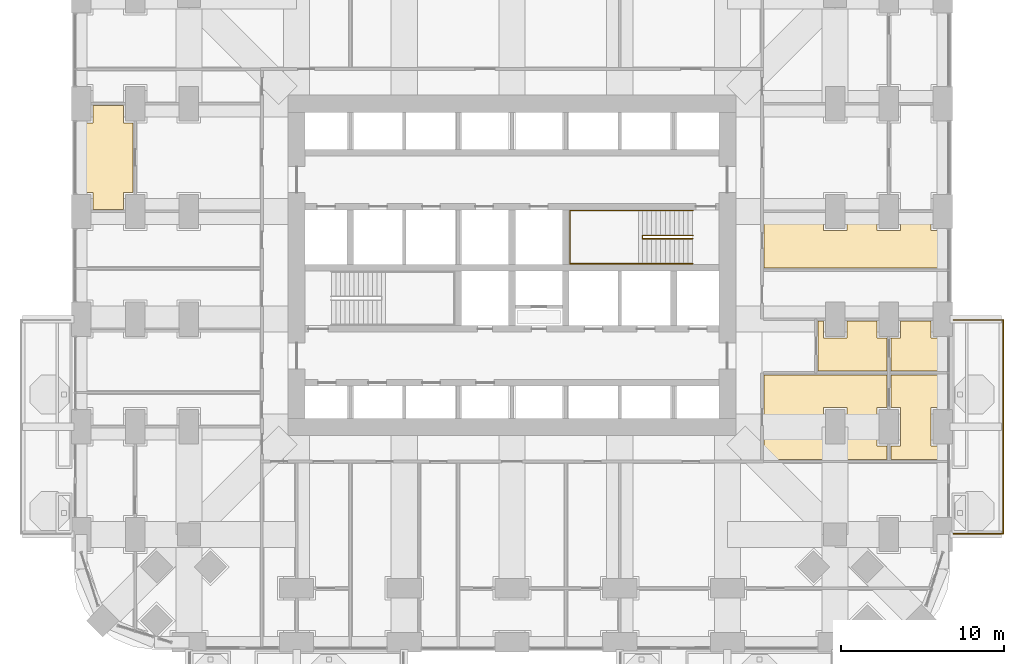
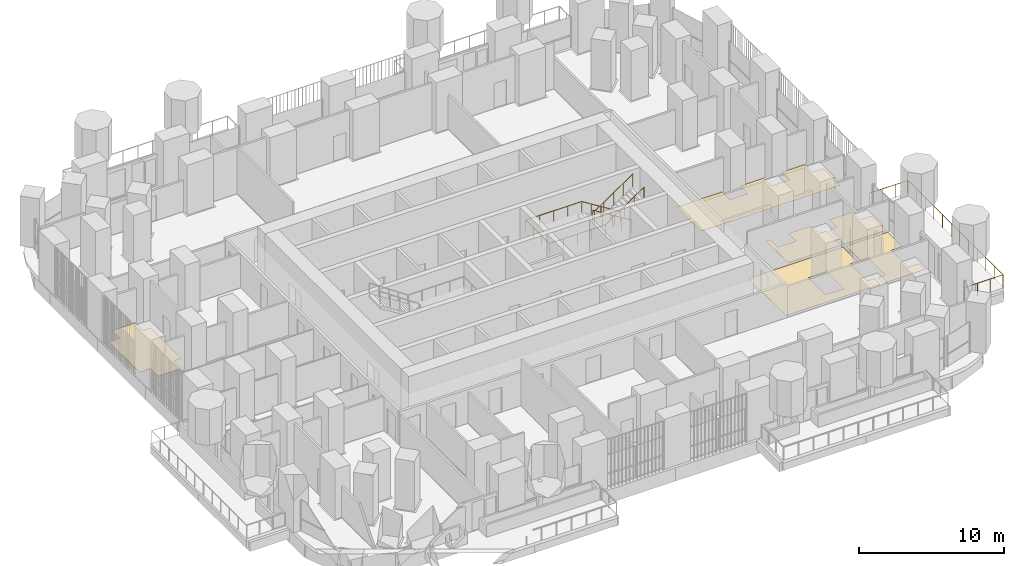
# One storey, part 25 of 27: 6 coverings, 3 railings.
"""IFC4 building model written with IfcOpenShell, lengths in metres."""

from ifc_helpers import new_model, si_unit, direction, frame, origin, place, context, subcontext, project, spatial, polyline, outline, extrude, material, layer, layer_set, type_object, element, save


model = new_model("IFC4")

# Units and contexts
model_context = context("Model", 3, precision=1e-05, world=origin(), true_north=direction((0.0, 1.0)))
body_context = subcontext(model_context, "Body", "Model", "MODEL_VIEW")
ifc_project = project(units=[si_unit("LENGTHUNIT", "METRE"), si_unit("AREAUNIT", "SQUARE_METRE"), si_unit("VOLUMEUNIT", "CUBIC_METRE"), si_unit("PLANEANGLEUNIT", "RADIAN"), si_unit("MASSUNIT", "GRAM", prefix="KILO")], contexts=[model_context])

# Site, building, storey
site_placement = place(None, origin())
site = spatial("IfcSite", under=ifc_project, at=site_placement, CompositionType="ELEMENT")
building_placement = place(site_placement, origin())
building = spatial("IfcBuilding", under=site, at=building_placement, Name="Cobogo Forest Laboratory Tower", CompositionType="ELEMENT")
storey_placement = place(building_placement, frame((0.0, 0.0, 63.300048828125)))
storey = spatial("IfcBuildingStorey", under=building, at=storey_placement, Name="L14", CompositionType="ELEMENT", Elevation=63.300048828125)

# Railing
ifc_material_1 = material(Name="Laminated glass balustrade", Category="glass")
railing_type_1 = type_object("IfcRailingType", Name="BG1 glass balustrade 1100", PredefinedType="GUARDRAIL", material=ifc_material_1)
railing_1_placement = place(storey_placement, frame((53.449951171875, 6.64990234375, 0.0)))
element("IfcRailing", 1, at=railing_1_placement, inside=storey, type_object=railing_type_1, Name="Balcony balustrade BAL-E1 L14", PredefinedType="GUARDRAIL", context=body_context, shape_type="SweptSolid", body=[
    extrude(outline(polyline([(0.022216796875, 0.00927734375), (0.00927734375, 0.022216796875), (-0.00927734375, 0.022216796875), (-0.022216796875, 0.00927734375), (-0.022216796875, -0.00927734375), (-0.00927734375, -0.022216796875), (0.00927734375, -0.022216796875), (0.022216796875, -0.00927734375), (0.022216796875, 0.00927734375)])), frame((0.0, 0.0, 1.077880859375), z_axis=(1.0, 0.0, 0.0), x_axis=(0.0, 1.0, 0.0)), (0.0, 0.0, 1.0), 3.050048828125),
    extrude(outline(polyline([(0.022216796875, 0.00927734375), (0.00927734375, 0.022216796875), (-0.00927734375, 0.022216796875), (-0.022216796875, 0.00927734375), (-0.022216796875, -0.00927734375), (-0.00927734375, -0.022216796875), (0.00927734375, -0.022216796875), (0.022216796875, -0.00927734375), (0.022216796875, 0.00927734375)])), frame((3.050048828125, 0.0, 1.077880859375), z_axis=(0.0, 1.0, 0.0), x_axis=(-1.0, 0.0, 0.0)), (0.0, 0.0, 1.0), 13.10009765625),
    extrude(outline(polyline([(0.022216796875, 0.00927734375), (0.00927734375, 0.022216796875), (-0.00927734375, 0.022216796875), (-0.022216796875, 0.00927734375), (-0.022216796875, -0.00927734375), (-0.00927734375, -0.022216796875), (0.00927734375, -0.022216796875), (0.022216796875, -0.00927734375), (0.022216796875, 0.00927734375)])), frame((3.050048828125, 13.10009765625, 1.077880859375), z_axis=(-1.0, 0.0, 0.0), x_axis=(0.0, -1.0, 0.0)), (0.0, 0.0, 1.0), 3.050048828125),
    extrude(outline(polyline([(0.019287109375, 0.008056640625), (0.008056640625, 0.019287109375), (-0.008056640625, 0.019287109375), (-0.019287109375, 0.008056640625), (-0.019287109375, -0.008056640625), (-0.008056640625, -0.019287109375), (0.008056640625, -0.019287109375), (0.019287109375, -0.008056640625), (0.019287109375, 0.008056640625)])), origin(), (0.0, 0.0, 1.0), 1.077880859375),
    extrude(outline(polyline([(0.019287109375, 0.008056640625), (0.008056640625, 0.019287109375), (-0.008056640625, 0.019287109375), (-0.019287109375, 0.008056640625), (-0.019287109375, -0.008056640625), (-0.008056640625, -0.019287109375), (0.008056640625, -0.019287109375), (0.019287109375, -0.008056640625), (0.019287109375, 0.008056640625)])), frame((1.0166015625, 0.0, 0.0)), (0.0, 0.0, 1.0), 1.077880859375),
    extrude(outline(polyline([(0.019287109375, 0.008056640625), (0.008056640625, 0.019287109375), (-0.008056640625, 0.019287109375), (-0.019287109375, 0.008056640625), (-0.019287109375, -0.008056640625), (-0.008056640625, -0.019287109375), (0.008056640625, -0.019287109375), (0.019287109375, -0.008056640625), (0.019287109375, 0.008056640625)])), frame((2.033447265625, 0.0, 0.0)), (0.0, 0.0, 1.0), 1.077880859375),
    extrude(outline(polyline([(0.019287109375, 0.008056640625), (0.008056640625, 0.019287109375), (-0.008056640625, 0.019287109375), (-0.019287109375, 0.008056640625), (-0.019287109375, -0.008056640625), (-0.008056640625, -0.019287109375), (0.008056640625, -0.019287109375), (0.019287109375, -0.008056640625), (0.019287109375, 0.008056640625)])), frame((3.050048828125, 0.0, 0.0)), (0.0, 0.0, 1.0), 1.077880859375),
    extrude(outline(polyline([(0.019287109375, 0.008056640625), (0.008056640625, 0.019287109375), (-0.008056640625, 0.019287109375), (-0.019287109375, 0.008056640625), (-0.019287109375, -0.008056640625), (-0.008056640625, -0.019287109375), (0.008056640625, -0.019287109375), (0.019287109375, -0.008056640625), (0.019287109375, 0.008056640625)])), frame((3.050048828125, 1.19091796875, 0.0)), (0.0, 0.0, 1.0), 1.077880859375),
    extrude(outline(polyline([(0.019287109375, 0.008056640625), (0.008056640625, 0.019287109375), (-0.008056640625, 0.019287109375), (-0.019287109375, 0.008056640625), (-0.019287109375, -0.008056640625), (-0.008056640625, -0.019287109375), (0.008056640625, -0.019287109375), (0.019287109375, -0.008056640625), (0.019287109375, 0.008056640625)])), frame((3.050048828125, 2.3818359375, 0.0)), (0.0, 0.0, 1.0), 1.077880859375),
    extrude(outline(polyline([(0.019287109375, 0.008056640625), (0.008056640625, 0.019287109375), (-0.008056640625, 0.019287109375), (-0.019287109375, 0.008056640625), (-0.019287109375, -0.008056640625), (-0.008056640625, -0.019287109375), (0.008056640625, -0.019287109375), (0.019287109375, -0.008056640625), (0.019287109375, 0.008056640625)])), frame((3.050048828125, 3.57275390625, 0.0)), (0.0, 0.0, 1.0), 1.077880859375),
    extrude(outline(polyline([(0.019287109375, 0.008056640625), (0.008056640625, 0.019287109375), (-0.008056640625, 0.019287109375), (-0.019287109375, 0.008056640625), (-0.019287109375, -0.008056640625), (-0.008056640625, -0.019287109375), (0.008056640625, -0.019287109375), (0.019287109375, -0.008056640625), (0.019287109375, 0.008056640625)])), frame((3.050048828125, 4.763671875, 0.0)), (0.0, 0.0, 1.0), 1.077880859375),
    extrude(outline(polyline([(0.019287109375, 0.008056640625), (0.008056640625, 0.019287109375), (-0.008056640625, 0.019287109375), (-0.019287109375, 0.008056640625), (-0.019287109375, -0.008056640625), (-0.008056640625, -0.019287109375), (0.008056640625, -0.019287109375), (0.019287109375, -0.008056640625), (0.019287109375, 0.008056640625)])), frame((3.050048828125, 5.95458984375, 0.0)), (0.0, 0.0, 1.0), 1.077880859375),
    extrude(outline(polyline([(0.019287109375, 0.008056640625), (0.008056640625, 0.019287109375), (-0.008056640625, 0.019287109375), (-0.019287109375, 0.008056640625), (-0.019287109375, -0.008056640625), (-0.008056640625, -0.019287109375), (0.008056640625, -0.019287109375), (0.019287109375, -0.008056640625), (0.019287109375, 0.008056640625)])), frame((3.050048828125, 7.1455078125, 0.0)), (0.0, 0.0, 1.0), 1.077880859375),
    extrude(outline(polyline([(0.019287109375, 0.008056640625), (0.008056640625, 0.019287109375), (-0.008056640625, 0.019287109375), (-0.019287109375, 0.008056640625), (-0.019287109375, -0.008056640625), (-0.008056640625, -0.019287109375), (0.008056640625, -0.019287109375), (0.019287109375, -0.008056640625), (0.019287109375, 0.008056640625)])), frame((3.050048828125, 8.33642578125, 0.0)), (0.0, 0.0, 1.0), 1.077880859375),
    extrude(outline(polyline([(0.019287109375, 0.008056640625), (0.008056640625, 0.019287109375), (-0.008056640625, 0.019287109375), (-0.019287109375, 0.008056640625), (-0.019287109375, -0.008056640625), (-0.008056640625, -0.019287109375), (0.008056640625, -0.019287109375), (0.019287109375, -0.008056640625), (0.019287109375, 0.008056640625)])), frame((3.050048828125, 9.52734375, 0.0)), (0.0, 0.0, 1.0), 1.077880859375),
    extrude(outline(polyline([(0.019287109375, 0.008056640625), (0.008056640625, 0.019287109375), (-0.008056640625, 0.019287109375), (-0.019287109375, 0.008056640625), (-0.019287109375, -0.008056640625), (-0.008056640625, -0.019287109375), (0.008056640625, -0.019287109375), (0.019287109375, -0.008056640625), (0.019287109375, 0.008056640625)])), frame((3.050048828125, 10.71826171875, 0.0)), (0.0, 0.0, 1.0), 1.077880859375),
    extrude(outline(polyline([(0.019287109375, 0.008056640625), (0.008056640625, 0.019287109375), (-0.008056640625, 0.019287109375), (-0.019287109375, 0.008056640625), (-0.019287109375, -0.008056640625), (-0.008056640625, -0.019287109375), (0.008056640625, -0.019287109375), (0.019287109375, -0.008056640625), (0.019287109375, 0.008056640625)])), frame((3.050048828125, 11.9091796875, 0.0)), (0.0, 0.0, 1.0), 1.077880859375),
    extrude(outline(polyline([(0.019287109375, 0.008056640625), (0.008056640625, 0.019287109375), (-0.008056640625, 0.019287109375), (-0.019287109375, 0.008056640625), (-0.019287109375, -0.008056640625), (-0.008056640625, -0.019287109375), (0.008056640625, -0.019287109375), (0.019287109375, -0.008056640625), (0.019287109375, 0.008056640625)])), frame((3.050048828125, 13.10009765625, 0.0)), (0.0, 0.0, 1.0), 1.077880859375),
    extrude(outline(polyline([(0.019287109375, 0.008056640625), (0.008056640625, 0.019287109375), (-0.008056640625, 0.019287109375), (-0.019287109375, 0.008056640625), (-0.019287109375, -0.008056640625), (-0.008056640625, -0.019287109375), (0.008056640625, -0.019287109375), (0.019287109375, -0.008056640625), (0.019287109375, 0.008056640625)])), frame((2.033447265625, 13.10009765625, 0.0)), (0.0, 0.0, 1.0), 1.077880859375),
    extrude(outline(polyline([(0.019287109375, 0.008056640625), (0.008056640625, 0.019287109375), (-0.008056640625, 0.019287109375), (-0.019287109375, 0.008056640625), (-0.019287109375, -0.008056640625), (-0.008056640625, -0.019287109375), (0.008056640625, -0.019287109375), (0.019287109375, -0.008056640625), (0.019287109375, 0.008056640625)])), frame((1.0166015625, 13.10009765625, 0.0)), (0.0, 0.0, 1.0), 1.077880859375),
    extrude(outline(polyline([(0.019287109375, 0.008056640625), (0.008056640625, 0.019287109375), (-0.008056640625, 0.019287109375), (-0.019287109375, 0.008056640625), (-0.019287109375, -0.008056640625), (-0.008056640625, -0.019287109375), (0.008056640625, -0.019287109375), (0.019287109375, -0.008056640625), (0.019287109375, 0.008056640625)])), frame((0.0, 13.10009765625, 0.0)), (0.0, 0.0, 1.0), 1.077880859375),
])

# Coverings
ifc_material_2 = material(Name="Carpet tile on raised access floor", Category="flooring")
ifc_layer_1 = layer(ifc_material_2, 0.008056640625)
ifc_layer_set_1 = layer_set([ifc_layer_1], Name="CT1 carpet tile floor 8")
covering_type_1 = type_object("IfcCoveringType", Name="CT1 carpet tile floor 8", PredefinedType="FLOORING", material=ifc_layer_set_1)
covering_1_placement = place(storey_placement, origin())
element("IfcCovering", 2, at=covering_1_placement, inside=storey, type_object=covering_type_1, Name="Carpet floor L14-13", PredefinedType="FLOORING", context=body_context, shape_type="SweptSolid", body=[
    extrude(outline(polyline([(49.6201171875, 12.030029296875), (50.219970703125, 12.030029296875), (50.219970703125, 14.3701171875), (49.6201171875, 14.3701171875), (49.6201171875, 16.3798828125), (52.949951171875, 16.3798828125), (52.949951171875, 14.3701171875), (52.080078125, 14.3701171875), (52.080078125, 12.030029296875), (52.949951171875, 12.030029296875), (52.949951171875, 11.195068359375), (49.6201171875, 11.195068359375), (49.6201171875, 12.030029296875)])), origin(), (0.0, 0.0, 1.0), 0.008056640625),
])
covering_2_placement = place(storey_placement, origin())
element("IfcCovering", 3, at=covering_2_placement, inside=storey, type_object=covering_type_1, Name="Carpet floor L14-15", PredefinedType="FLOORING", context=body_context, shape_type="SweptSolid", body=[
    extrude(outline(polyline([(49.6201171875, 18.6298828125), (50.219970703125, 18.6298828125), (50.219970703125, 19.679931640625), (52.080078125, 19.679931640625), (52.080078125, 18.6298828125), (52.949951171875, 18.6298828125), (52.949951171875, 16.6201171875), (49.6201171875, 16.6201171875), (49.6201171875, 18.6298828125)])), origin(), (0.0, 0.0, 1.0), 0.008056640625),
])
covering_3_placement = place(storey_placement, origin())
element("IfcCovering", 4, at=covering_3_placement, inside=storey, type_object=covering_type_1, Name="Carpet floor L14-35", PredefinedType="FLOORING", context=body_context, shape_type="SweptSolid", body=[
    extrude(outline(polyline([(3.179931640625, 27.570068359375), (2.580078125, 27.570068359375), (2.580078125, 26.52001953125), (0.719970703125, 26.52001953125), (0.719970703125, 27.570068359375), (-0.14990234375, 27.570068359375), (-0.14990234375, 31.830078125), (0.719970703125, 31.830078125), (0.719970703125, 32.8798828125), (2.580078125, 32.8798828125), (2.580078125, 31.830078125), (3.179931640625, 31.830078125), (3.179931640625, 27.570068359375)])), origin(), (0.0, 0.0, 1.0), 0.008056640625),
])

# Railings
ifc_material_3 = material(Name="Steel balustrade", Category="steel")
railing_type_2 = type_object("IfcRailingType", Name="GR stair guard 1100", PredefinedType="GUARDRAIL", material=ifc_material_3)
railing_2_placement = place(storey_placement, frame((37.47509765625, 24.929931640625, 0.175048828125)))
element("IfcRailing", 5, at=railing_2_placement, inside=storey, type_object=railing_type_2, Name="Stair guard ST2 L14", PredefinedType="GUARDRAIL", context=body_context, shape_type="SweptSolid", body=[
    extrude(outline(polyline([(0.022216796875, 0.00927734375), (0.00927734375, 0.022216796875), (-0.00927734375, 0.022216796875), (-0.022216796875, 0.00927734375), (-0.022216796875, -0.00927734375), (-0.00927734375, -0.022216796875), (0.00927734375, -0.022216796875), (0.022216796875, -0.00927734375), (0.022216796875, 0.00927734375)])), frame((0.0, 0.0, 1.077880859375), z_axis=(-0.848028513186, 0.0, 0.529950602248), x_axis=(0.0, -1.0, 0.0)), (0.0, 0.0, 1.0), 3.632080078125),
    extrude(outline(polyline([(0.022216796875, 0.00927734375), (0.00927734375, 0.022216796875), (-0.00927734375, 0.022216796875), (-0.022216796875, 0.00927734375), (-0.022216796875, -0.00927734375), (-0.00927734375, -0.022216796875), (0.00927734375, -0.022216796875), (0.022216796875, -0.00927734375), (0.022216796875, 0.00927734375)])), frame((-3.080078125, 0.0, 3.002685546875), z_axis=(0.0, -1.0, 0.0), x_axis=(1.0, 0.0, 0.0)), (0.0, 0.0, 1.0), 0.2099609375),
    extrude(outline(polyline([(0.022216796875, 0.00927734375), (0.00927734375, 0.022216796875), (-0.00927734375, 0.022216796875), (-0.022216796875, 0.00927734375), (-0.022216796875, -0.00927734375), (-0.00927734375, -0.022216796875), (0.00927734375, -0.022216796875), (0.022216796875, -0.00927734375), (0.022216796875, 0.00927734375)])), frame((-3.080078125, -0.2099609375, 3.002685546875), z_axis=(0.826221800596, 0.0, 0.563344953133), x_axis=(0.0, 1.0, 0.0)), (0.0, 0.0, 1.0), 3.72802734375),
    extrude(outline(polyline([(0.019287109375, 0.008056640625), (0.008056640625, 0.019287109375), (-0.008056640625, 0.019287109375), (-0.019287109375, 0.008056640625), (-0.019287109375, -0.008056640625), (-0.008056640625, -0.019287109375), (0.008056640625, -0.019287109375), (0.019287109375, -0.008056640625), (0.019287109375, 0.008056640625)])), origin(), (0.0, 0.0, 1.0), 1.077880859375),
    extrude(outline(polyline([(0.019287109375, 0.008056640625), (0.008056640625, 0.019287109375), (-0.008056640625, 0.019287109375), (-0.019287109375, 0.008056640625), (-0.019287109375, -0.008056640625), (-0.008056640625, -0.019287109375), (0.008056640625, -0.019287109375), (0.019287109375, -0.008056640625), (0.019287109375, 0.008056640625)])), frame((-0.77001953125, 0.0, 0.481201171875)), (0.0, 0.0, 1.0), 1.077880859375),
    extrude(outline(polyline([(0.019287109375, 0.008056640625), (0.008056640625, 0.019287109375), (-0.008056640625, 0.019287109375), (-0.019287109375, 0.008056640625), (-0.019287109375, -0.008056640625), (-0.008056640625, -0.019287109375), (0.008056640625, -0.019287109375), (0.019287109375, -0.008056640625), (0.019287109375, 0.008056640625)])), frame((-1.5400390625, 0.0, 0.96240234375)), (0.0, 0.0, 1.0), 1.077880859375),
    extrude(outline(polyline([(0.019287109375, 0.008056640625), (0.008056640625, 0.019287109375), (-0.008056640625, 0.019287109375), (-0.019287109375, 0.008056640625), (-0.019287109375, -0.008056640625), (-0.008056640625, -0.019287109375), (0.008056640625, -0.019287109375), (0.019287109375, -0.008056640625), (0.019287109375, 0.008056640625)])), frame((-2.31005859375, 0.0, 1.443603515625)), (0.0, 0.0, 1.0), 1.077880859375),
    extrude(outline(polyline([(0.019287109375, 0.008056640625), (0.008056640625, 0.019287109375), (-0.008056640625, 0.019287109375), (-0.019287109375, 0.008056640625), (-0.019287109375, -0.008056640625), (-0.008056640625, -0.019287109375), (0.008056640625, -0.019287109375), (0.019287109375, -0.008056640625), (0.019287109375, 0.008056640625)])), frame((-3.080078125, 0.0, 1.9248046875)), (0.0, 0.0, 1.0), 1.077880859375),
    extrude(outline(polyline([(0.019287109375, 0.008056640625), (0.008056640625, 0.019287109375), (-0.008056640625, 0.019287109375), (-0.019287109375, 0.008056640625), (-0.019287109375, -0.008056640625), (-0.008056640625, -0.019287109375), (0.008056640625, -0.019287109375), (0.019287109375, -0.008056640625), (0.019287109375, 0.008056640625)])), frame((-3.080078125, -0.2099609375, 1.9248046875)), (0.0, 0.0, 1.0), 1.077880859375),
    extrude(outline(polyline([(0.019287109375, 0.008056640625), (0.008056640625, 0.019287109375), (-0.008056640625, 0.019287109375), (-0.019287109375, 0.008056640625), (-0.019287109375, -0.008056640625), (-0.008056640625, -0.019287109375), (0.008056640625, -0.019287109375), (0.019287109375, -0.008056640625), (0.019287109375, 0.008056640625)])), frame((-2.31005859375, -0.2099609375, 2.44970703125)), (0.0, 0.0, 1.0), 1.077880859375),
    extrude(outline(polyline([(0.019287109375, 0.008056640625), (0.008056640625, 0.019287109375), (-0.008056640625, 0.019287109375), (-0.019287109375, 0.008056640625), (-0.019287109375, -0.008056640625), (-0.008056640625, -0.019287109375), (0.008056640625, -0.019287109375), (0.019287109375, -0.008056640625), (0.019287109375, 0.008056640625)])), frame((-1.5400390625, -0.2099609375, 2.974853515625)), (0.0, 0.0, 1.0), 1.077880859375),
    extrude(outline(polyline([(0.019287109375, 0.008056640625), (0.008056640625, 0.019287109375), (-0.008056640625, 0.019287109375), (-0.019287109375, 0.008056640625), (-0.019287109375, -0.008056640625), (-0.008056640625, -0.019287109375), (0.008056640625, -0.019287109375), (0.019287109375, -0.008056640625), (0.019287109375, 0.008056640625)])), frame((-0.77001953125, -0.2099609375, 3.5)), (0.0, 0.0, 1.0), 1.077880859375),
    extrude(outline(polyline([(0.019287109375, 0.008056640625), (0.008056640625, 0.019287109375), (-0.008056640625, 0.019287109375), (-0.019287109375, 0.008056640625), (-0.019287109375, -0.008056640625), (-0.008056640625, -0.019287109375), (0.008056640625, -0.019287109375), (0.019287109375, -0.008056640625), (0.019287109375, 0.008056640625)])), frame((0.0, -0.2099609375, 4.02490234375)), (0.0, 0.0, 1.0), 1.077880859375),
])
ifc_material_4 = material(Name="Stainless steel handrail", Category="steel")
railing_type_3 = type_object("IfcRailingType", Name="HR handrail 900", PredefinedType="HANDRAIL", material=ifc_material_4)
railing_3_placement = place(storey_placement, frame((37.47509765625, 26.449951171875, 0.175048828125)))
element("IfcRailing", 6, at=railing_3_placement, inside=storey, type_object=railing_type_3, Name="Stair handrail ST2 L14", PredefinedType="HANDRAIL", context=body_context, shape_type="SweptSolid", body=[
    extrude(outline(polyline([(0.022216796875, 0.00927734375), (0.00927734375, 0.022216796875), (-0.00927734375, 0.022216796875), (-0.022216796875, 0.00927734375), (-0.022216796875, -0.00927734375), (-0.00927734375, -0.022216796875), (0.00927734375, -0.022216796875), (0.022216796875, -0.00927734375), (0.022216796875, 0.00927734375)])), frame((0.0, 0.0, 0.877685546875), z_axis=(-0.848028513186, 0.0, 0.529950602248), x_axis=(0.0, -1.0, 0.0)), (0.0, 0.0, 1.0), 3.632080078125),
    extrude(outline(polyline([(0.022216796875, 0.00927734375), (0.00927734375, 0.022216796875), (-0.00927734375, 0.022216796875), (-0.022216796875, 0.00927734375), (-0.022216796875, -0.00927734375), (-0.00927734375, -0.022216796875), (0.00927734375, -0.022216796875), (0.022216796875, -0.00927734375), (0.022216796875, 0.00927734375)])), frame((-3.080078125, 0.0, 2.802490234375), z_axis=(-1.0, 0.0, 0.0), x_axis=(0.0, -1.0, 0.0)), (0.0, 0.0, 1.0), 4.445068359375),
    extrude(outline(polyline([(0.022216796875, 0.00927734375), (0.00927734375, 0.022216796875), (-0.00927734375, 0.022216796875), (-0.022216796875, 0.00927734375), (-0.022216796875, -0.00927734375), (-0.00927734375, -0.022216796875), (0.00927734375, -0.022216796875), (0.022216796875, -0.00927734375), (0.022216796875, 0.00927734375)])), frame((-7.525146484375, 0.0, 2.802490234375), z_axis=(0.0, -1.0, 0.0), x_axis=(1.0, 0.0, 0.0)), (0.0, 0.0, 1.0), 3.25),
    extrude(outline(polyline([(0.022216796875, 0.00927734375), (0.00927734375, 0.022216796875), (-0.00927734375, 0.022216796875), (-0.022216796875, 0.00927734375), (-0.022216796875, -0.00927734375), (-0.00927734375, -0.022216796875), (0.00927734375, -0.022216796875), (0.022216796875, -0.00927734375), (0.022216796875, 0.00927734375)])), frame((-7.525146484375, -3.25, 2.802490234375), z_axis=(1.0, 0.0, 0.0), x_axis=(0.0, 1.0, 0.0)), (0.0, 0.0, 1.0), 4.445068359375),
    extrude(outline(polyline([(0.022216796875, 0.00927734375), (0.00927734375, 0.022216796875), (-0.00927734375, 0.022216796875), (-0.022216796875, 0.00927734375), (-0.022216796875, -0.00927734375), (-0.00927734375, -0.022216796875), (0.00927734375, -0.022216796875), (0.022216796875, -0.00927734375), (0.022216796875, 0.00927734375)])), frame((-3.080078125, -3.25, 2.802490234375), z_axis=(0.826221800596, 0.0, 0.563344953133), x_axis=(0.0, 1.0, 0.0)), (0.0, 0.0, 1.0), 3.72802734375),
    extrude(outline(polyline([(0.019287109375, 0.008056640625), (0.008056640625, 0.019287109375), (-0.008056640625, 0.019287109375), (-0.019287109375, 0.008056640625), (-0.019287109375, -0.008056640625), (-0.008056640625, -0.019287109375), (0.008056640625, -0.019287109375), (0.019287109375, -0.008056640625), (0.019287109375, 0.008056640625)])), origin(), (0.0, 0.0, 1.0), 0.877685546875),
    extrude(outline(polyline([(0.019287109375, 0.008056640625), (0.008056640625, 0.019287109375), (-0.008056640625, 0.019287109375), (-0.019287109375, 0.008056640625), (-0.019287109375, -0.008056640625), (-0.008056640625, -0.019287109375), (0.008056640625, -0.019287109375), (0.019287109375, -0.008056640625), (0.019287109375, 0.008056640625)])), frame((-0.77001953125, 0.0, 0.481201171875)), (0.0, 0.0, 1.0), 0.877685546875),
    extrude(outline(polyline([(0.019287109375, 0.008056640625), (0.008056640625, 0.019287109375), (-0.008056640625, 0.019287109375), (-0.019287109375, 0.008056640625), (-0.019287109375, -0.008056640625), (-0.008056640625, -0.019287109375), (0.008056640625, -0.019287109375), (0.019287109375, -0.008056640625), (0.019287109375, 0.008056640625)])), frame((-1.5400390625, 0.0, 0.96240234375)), (0.0, 0.0, 1.0), 0.877685546875),
    extrude(outline(polyline([(0.019287109375, 0.008056640625), (0.008056640625, 0.019287109375), (-0.008056640625, 0.019287109375), (-0.019287109375, 0.008056640625), (-0.019287109375, -0.008056640625), (-0.008056640625, -0.019287109375), (0.008056640625, -0.019287109375), (0.019287109375, -0.008056640625), (0.019287109375, 0.008056640625)])), frame((-2.31005859375, 0.0, 1.443603515625)), (0.0, 0.0, 1.0), 0.877685546875),
    extrude(outline(polyline([(0.019287109375, 0.008056640625), (0.008056640625, 0.019287109375), (-0.008056640625, 0.019287109375), (-0.019287109375, 0.008056640625), (-0.019287109375, -0.008056640625), (-0.008056640625, -0.019287109375), (0.008056640625, -0.019287109375), (0.019287109375, -0.008056640625), (0.019287109375, 0.008056640625)])), frame((-3.080078125, 0.0, 1.9248046875)), (0.0, 0.0, 1.0), 0.877685546875),
    extrude(outline(polyline([(0.019287109375, 0.008056640625), (0.008056640625, 0.019287109375), (-0.008056640625, 0.019287109375), (-0.019287109375, 0.008056640625), (-0.019287109375, -0.008056640625), (-0.008056640625, -0.019287109375), (0.008056640625, -0.019287109375), (0.019287109375, -0.008056640625), (0.019287109375, 0.008056640625)])), frame((-4.19140625, 0.0, 1.9248046875)), (0.0, 0.0, 1.0), 0.877685546875),
    extrude(outline(polyline([(0.019287109375, 0.008056640625), (0.008056640625, 0.019287109375), (-0.008056640625, 0.019287109375), (-0.019287109375, 0.008056640625), (-0.019287109375, -0.008056640625), (-0.008056640625, -0.019287109375), (0.008056640625, -0.019287109375), (0.019287109375, -0.008056640625), (0.019287109375, 0.008056640625)])), frame((-5.302734375, 0.0, 1.9248046875)), (0.0, 0.0, 1.0), 0.877685546875),
    extrude(outline(polyline([(0.019287109375, 0.008056640625), (0.008056640625, 0.019287109375), (-0.008056640625, 0.019287109375), (-0.019287109375, 0.008056640625), (-0.019287109375, -0.008056640625), (-0.008056640625, -0.019287109375), (0.008056640625, -0.019287109375), (0.019287109375, -0.008056640625), (0.019287109375, 0.008056640625)])), frame((-6.413818359375, 0.0, 1.9248046875)), (0.0, 0.0, 1.0), 0.877685546875),
    extrude(outline(polyline([(0.019287109375, 0.008056640625), (0.008056640625, 0.019287109375), (-0.008056640625, 0.019287109375), (-0.019287109375, 0.008056640625), (-0.019287109375, -0.008056640625), (-0.008056640625, -0.019287109375), (0.008056640625, -0.019287109375), (0.019287109375, -0.008056640625), (0.019287109375, 0.008056640625)])), frame((-7.525146484375, 0.0, 1.9248046875)), (0.0, 0.0, 1.0), 0.877685546875),
    extrude(outline(polyline([(0.019287109375, 0.008056640625), (0.008056640625, 0.019287109375), (-0.008056640625, 0.019287109375), (-0.019287109375, 0.008056640625), (-0.019287109375, -0.008056640625), (-0.008056640625, -0.019287109375), (0.008056640625, -0.019287109375), (0.019287109375, -0.008056640625), (0.019287109375, 0.008056640625)])), frame((-7.525146484375, -1.083251953125, 1.9248046875)), (0.0, 0.0, 1.0), 0.877685546875),
    extrude(outline(polyline([(0.019287109375, 0.008056640625), (0.008056640625, 0.019287109375), (-0.008056640625, 0.019287109375), (-0.019287109375, 0.008056640625), (-0.019287109375, -0.008056640625), (-0.008056640625, -0.019287109375), (0.008056640625, -0.019287109375), (0.019287109375, -0.008056640625), (0.019287109375, 0.008056640625)])), frame((-7.525146484375, -2.166748046875, 1.9248046875)), (0.0, 0.0, 1.0), 0.877685546875),
    extrude(outline(polyline([(0.019287109375, 0.008056640625), (0.008056640625, 0.019287109375), (-0.008056640625, 0.019287109375), (-0.019287109375, 0.008056640625), (-0.019287109375, -0.008056640625), (-0.008056640625, -0.019287109375), (0.008056640625, -0.019287109375), (0.019287109375, -0.008056640625), (0.019287109375, 0.008056640625)])), frame((-7.525146484375, -3.25, 1.9248046875)), (0.0, 0.0, 1.0), 0.877685546875),
    extrude(outline(polyline([(0.019287109375, 0.008056640625), (0.008056640625, 0.019287109375), (-0.008056640625, 0.019287109375), (-0.019287109375, 0.008056640625), (-0.019287109375, -0.008056640625), (-0.008056640625, -0.019287109375), (0.008056640625, -0.019287109375), (0.019287109375, -0.008056640625), (0.019287109375, 0.008056640625)])), frame((-6.413818359375, -3.25, 1.9248046875)), (0.0, 0.0, 1.0), 0.877685546875),
    extrude(outline(polyline([(0.019287109375, 0.008056640625), (0.008056640625, 0.019287109375), (-0.008056640625, 0.019287109375), (-0.019287109375, 0.008056640625), (-0.019287109375, -0.008056640625), (-0.008056640625, -0.019287109375), (0.008056640625, -0.019287109375), (0.019287109375, -0.008056640625), (0.019287109375, 0.008056640625)])), frame((-5.302734375, -3.25, 1.9248046875)), (0.0, 0.0, 1.0), 0.877685546875),
    extrude(outline(polyline([(0.019287109375, 0.008056640625), (0.008056640625, 0.019287109375), (-0.008056640625, 0.019287109375), (-0.019287109375, 0.008056640625), (-0.019287109375, -0.008056640625), (-0.008056640625, -0.019287109375), (0.008056640625, -0.019287109375), (0.019287109375, -0.008056640625), (0.019287109375, 0.008056640625)])), frame((-4.19140625, -3.25, 1.9248046875)), (0.0, 0.0, 1.0), 0.877685546875),
    extrude(outline(polyline([(0.019287109375, 0.008056640625), (0.008056640625, 0.019287109375), (-0.008056640625, 0.019287109375), (-0.019287109375, 0.008056640625), (-0.019287109375, -0.008056640625), (-0.008056640625, -0.019287109375), (0.008056640625, -0.019287109375), (0.019287109375, -0.008056640625), (0.019287109375, 0.008056640625)])), frame((-3.080078125, -3.25, 1.9248046875)), (0.0, 0.0, 1.0), 0.877685546875),
    extrude(outline(polyline([(0.019287109375, 0.008056640625), (0.008056640625, 0.019287109375), (-0.008056640625, 0.019287109375), (-0.019287109375, 0.008056640625), (-0.019287109375, -0.008056640625), (-0.008056640625, -0.019287109375), (0.008056640625, -0.019287109375), (0.019287109375, -0.008056640625), (0.019287109375, 0.008056640625)])), frame((-2.31005859375, -3.25, 2.44970703125)), (0.0, 0.0, 1.0), 0.877685546875),
    extrude(outline(polyline([(0.019287109375, 0.008056640625), (0.008056640625, 0.019287109375), (-0.008056640625, 0.019287109375), (-0.019287109375, 0.008056640625), (-0.019287109375, -0.008056640625), (-0.008056640625, -0.019287109375), (0.008056640625, -0.019287109375), (0.019287109375, -0.008056640625), (0.019287109375, 0.008056640625)])), frame((-1.5400390625, -3.25, 2.974853515625)), (0.0, 0.0, 1.0), 0.877685546875),
    extrude(outline(polyline([(0.019287109375, 0.008056640625), (0.008056640625, 0.019287109375), (-0.008056640625, 0.019287109375), (-0.019287109375, 0.008056640625), (-0.019287109375, -0.008056640625), (-0.008056640625, -0.019287109375), (0.008056640625, -0.019287109375), (0.019287109375, -0.008056640625), (0.019287109375, 0.008056640625)])), frame((-0.77001953125, -3.25, 3.5)), (0.0, 0.0, 1.0), 0.877685546875),
    extrude(outline(polyline([(0.019287109375, 0.008056640625), (0.008056640625, 0.019287109375), (-0.008056640625, 0.019287109375), (-0.019287109375, 0.008056640625), (-0.019287109375, -0.008056640625), (-0.008056640625, -0.019287109375), (0.008056640625, -0.019287109375), (0.019287109375, -0.008056640625), (0.019287109375, 0.008056640625)])), frame((0.0, -3.25, 4.02490234375)), (0.0, 0.0, 1.0), 0.877685546875),
])

# Coverings
ifc_material_5 = material(Name="Epoxy resin flooring", Category="flooring")
ifc_layer_2 = layer(ifc_material_5, 0.00390625)
ifc_layer_set_2 = layer_set([ifc_layer_2], Name="LF1 epoxy laboratory floor 4")
covering_type_2 = type_object("IfcCoveringType", Name="LF1 epoxy laboratory floor 4", PredefinedType="FLOORING", material=ifc_layer_set_2)
covering_4_placement = place(storey_placement, origin())
element("IfcCovering", 7, at=covering_4_placement, inside=storey, type_object=covering_type_2, Name="Epoxy laboratory floor L14-12", PredefinedType="FLOORING", context=body_context, shape_type="SweptSolid", body=[
    extrude(outline(polyline([(41.844970703125, 16.3798828125), (49.3798828125, 16.3798828125), (49.3798828125, 14.3701171875), (48.780029296875, 14.3701171875), (48.780029296875, 12.030029296875), (49.3798828125, 12.030029296875), (49.3798828125, 11.195068359375), (41.844970703125, 11.195068359375), (41.844970703125, 16.3798828125)]), holes=[polyline([(45.47998046875, 12.030029296875), (46.919921875, 12.030029296875), (46.919921875, 14.3701171875), (45.47998046875, 14.3701171875), (45.47998046875, 12.030029296875)])]), origin(), (0.0, 0.0, 1.0), 0.00390625),
])
covering_5_placement = place(storey_placement, origin())
element("IfcCovering", 8, at=covering_5_placement, inside=storey, type_object=covering_type_2, Name="Epoxy laboratory floor L14-14", PredefinedType="FLOORING", context=body_context, shape_type="SweptSolid", body=[
    extrude(outline(polyline([(45.14501953125, 19.679931640625), (45.47998046875, 19.679931640625), (45.47998046875, 18.6298828125), (46.919921875, 18.6298828125), (46.919921875, 19.679931640625), (48.780029296875, 19.679931640625), (48.780029296875, 18.6298828125), (49.3798828125, 18.6298828125), (49.3798828125, 16.6201171875), (45.14501953125, 16.6201171875), (45.14501953125, 19.679931640625)])), origin(), (0.0, 0.0, 1.0), 0.00390625),
])
ifc_material_6 = material(Name="Static-dissipative vinyl flooring", Category="flooring")
ifc_layer_3 = layer(ifc_material_6, 0.0029296875)
ifc_layer_set_3 = layer_set([ifc_layer_3], Name="SD1 static-dissipative vinyl floor 3")
covering_type_3 = type_object("IfcCoveringType", Name="SD1 static-dissipative vinyl floor 3", PredefinedType="FLOORING", material=ifc_layer_set_3)
covering_6_placement = place(storey_placement, origin())
element("IfcCovering", 9, at=covering_6_placement, inside=storey, type_object=covering_type_3, Name="Static-dissipative floor L14-17", PredefinedType="FLOORING", context=body_context, shape_type="SweptSolid", body=[
    extrude(outline(polyline([(41.844970703125, 26.280029296875), (45.47998046875, 26.280029296875), (45.47998046875, 25.22998046875), (46.919921875, 25.22998046875), (46.919921875, 26.280029296875), (48.780029296875, 26.280029296875), (48.780029296875, 25.22998046875), (50.219970703125, 25.22998046875), (50.219970703125, 26.280029296875), (52.080078125, 26.280029296875), (52.080078125, 25.22998046875), (52.949951171875, 25.22998046875), (52.949951171875, 22.919921875), (41.844970703125, 22.919921875), (41.844970703125, 26.280029296875)])), origin(), (0.0, 0.0, 1.0), 0.0029296875),
])

save(model, "model.ifc")
